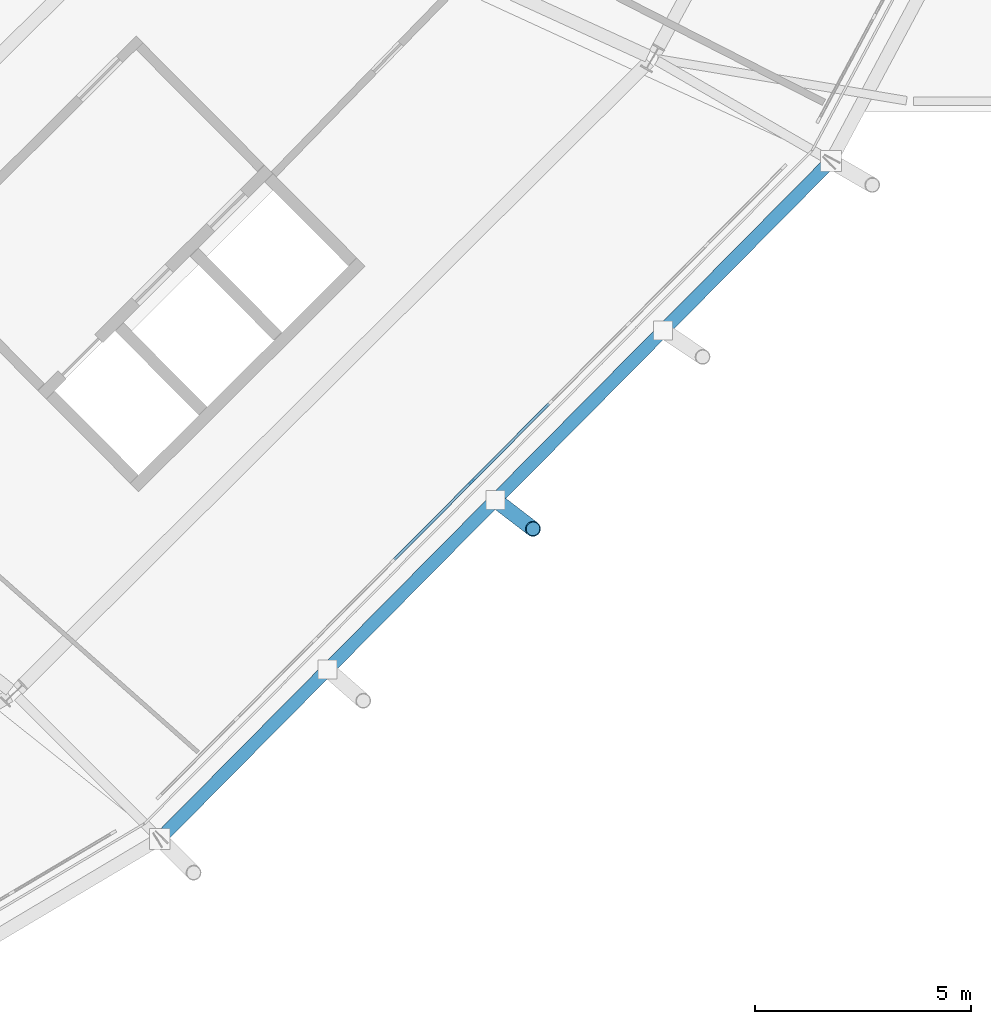
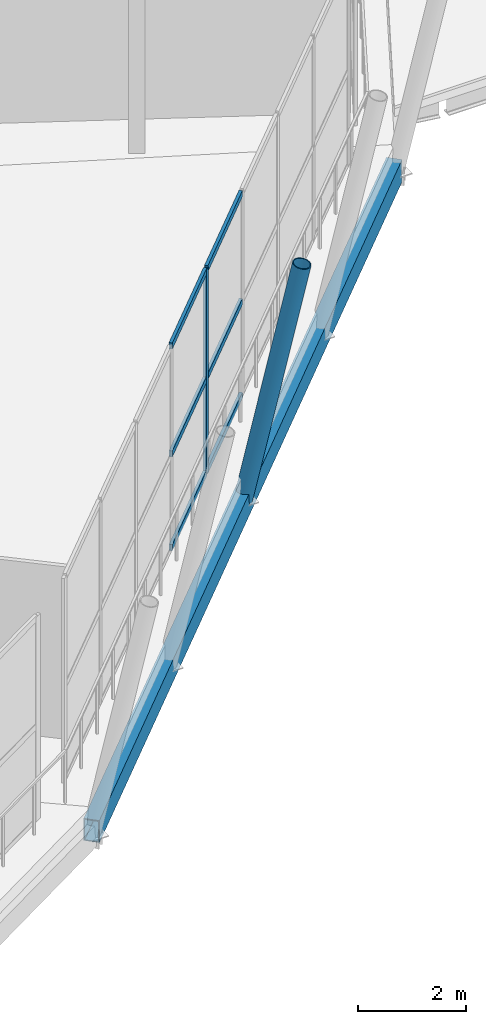
# One storey, part 38 of 126: 8 members, 1 beam, 1 element without a shape of its own.
"""IFC4 building model written with IfcOpenShell, lengths in metres."""

from ifc_helpers import new_model, si_unit, direction, frame, origin, origin_2d, place, context, subcontext, project, spatial, rectangle, hollow_rectangle, hollow_circle, extrude, material, material_profile, profile_set, type_object, element, aggregate, save


model = new_model("IFC4")

# Units and contexts
model_context = context("Model", 3, precision=1e-05, world=origin(), true_north=direction((0.0, 1.0)))
body_context = subcontext(model_context, "Body", "Model", "MODEL_VIEW")
ifc_project = project(units=[si_unit("LENGTHUNIT", "METRE"), si_unit("AREAUNIT", "SQUARE_METRE"), si_unit("VOLUMEUNIT", "CUBIC_METRE"), si_unit("PLANEANGLEUNIT", "RADIAN"), si_unit("MASSUNIT", "GRAM", prefix="KILO")], contexts=[model_context])

# Site, building, storey
site_placement = place(None, origin())
site = spatial("IfcSite", under=ifc_project, at=site_placement, CompositionType="ELEMENT")
building_placement = place(site_placement, origin())
building = spatial("IfcBuilding", under=site, at=building_placement, Name="Zlatoyarsky Gate Stadium", CompositionType="ELEMENT")
storey_placement = place(building_placement, frame((0.0, 0.0, 20.800048828125)))
storey = spatial("IfcBuildingStorey", under=building, at=storey_placement, Name="L04", CompositionType="ELEMENT", Elevation=20.800048828125)

# Curtain wall, members
ifc_material_1 = material(Name="Thermally broken anodised aluminium curtain wall", Category="aluminium")
curtain_wall_type = type_object("IfcCurtainWallType", Name="UNITISED MEDIA RING GLAZING L04", PredefinedType="USERDEFINED", material=ifc_material_1)
curtain_wall_placement = place(storey_placement, origin())
curtain_wall = element("IfcCurtainWall", 1, at=curtain_wall_placement, inside=storey, type_object=curtain_wall_type, Name="Curtain wall CW-L04-21", ObjectType="UNITISED GLAZING", PredefinedType="USERDEFINED")
ifc_material_2 = material(Name="Anodised aluminium 6063-T6", Category="aluminium")
ifc_material_profile_1 = material_profile(ifc_material_2, rectangle(XDim=0.06494140625, YDim=0.159912109375, at=origin_2d()), Name="ALU 65X160")
ifc_profile_set_1 = profile_set([ifc_material_profile_1], Name="Anodised aluminium 6063-T6")
member_type_1 = type_object("IfcMemberType", Name="ALUMINIUM MULLION 65X160", PredefinedType="MULLION", material=ifc_profile_set_1)
member_1_placement = place(storey_placement, frame((187.3515625, 34.69140625, 0.0), z_axis=(0.0, 0.0, 1.0), x_axis=(-0.709870536386, 0.704332181269, 0.0)))
member_1 = element("IfcMember", 2, at=member_1_placement, type_object=member_type_1, Name="CW-UG4 mullion 5", PredefinedType="MULLION", context=body_context, shape_type="SweptSolid", body=[
    extrude(rectangle(XDim=0.06494140625, YDim=0.159912109375, at=origin_2d()), origin(), (0.0, 0.0, 1.0), 4.619873046875),
])
ifc_material_profile_2 = material_profile(ifc_material_2, rectangle(XDim=0.06494140625, YDim=0.139892578125, at=origin_2d()), Name="ALU 65X140")
ifc_profile_set_2 = profile_set([ifc_material_profile_2], Name="Anodised aluminium 6063-T6")
member_type_2 = type_object("IfcMemberType", Name="ALUMINIUM TRANSOM 65X140", PredefinedType="USERDEFINED", material=ifc_profile_set_2)
member_2_placement = place(storey_placement, frame((185.560791015625, 32.886474609375, 0.032470703125), z_axis=(0.70432954627, 0.709873150818, 0.0), x_axis=(-0.709873150818, 0.70432954627, 0.0)))
member_2 = element("IfcMember", 3, at=member_2_placement, type_object=member_type_2, Name="CW-UG4 transom 4.1", ObjectType="TRANSOM", PredefinedType="USERDEFINED", context=body_context, shape_type="SweptSolid", body=[
    extrude(rectangle(XDim=0.06494140625, YDim=0.139892578125, at=origin_2d()), origin(), (0.0, 0.0, 1.0), 2.51025390625),
])
member_3_placement = place(storey_placement, frame((185.560791015625, 32.886474609375, 2.14990234375), z_axis=(0.70432954627, 0.709873150818, 0.0), x_axis=(-0.709873150818, 0.70432954627, 0.0)))
member_3 = element("IfcMember", 4, at=member_3_placement, type_object=member_type_2, Name="CW-UG4 transom 4.2", ObjectType="TRANSOM", PredefinedType="USERDEFINED", context=body_context, shape_type="SweptSolid", body=[
    extrude(rectangle(XDim=0.06494140625, YDim=0.139892578125, at=origin_2d()), origin(), (0.0, 0.0, 1.0), 2.51025390625),
])
member_4_placement = place(storey_placement, frame((185.560791015625, 32.886474609375, 4.58740234375), z_axis=(0.70432954627, 0.709873150818, 0.0), x_axis=(-0.709873150818, 0.70432954627, 0.0)))
member_4 = element("IfcMember", 5, at=member_4_placement, type_object=member_type_2, Name="CW-UG4 transom 4.3", ObjectType="TRANSOM", PredefinedType="USERDEFINED", context=body_context, shape_type="SweptSolid", body=[
    extrude(rectangle(XDim=0.06494140625, YDim=0.139892578125, at=origin_2d()), origin(), (0.0, 0.0, 1.0), 2.51025390625),
])
member_5_placement = place(storey_placement, frame((187.37451171875, 34.714599609375, 0.032470703125), z_axis=(0.70432954627, 0.709873150818, 0.0), x_axis=(-0.709873150818, 0.70432954627, 0.0)))
member_5 = element("IfcMember", 6, at=member_5_placement, type_object=member_type_2, Name="CW-UG4 transom 5.1", ObjectType="TRANSOM", PredefinedType="USERDEFINED", context=body_context, shape_type="SweptSolid", body=[
    extrude(rectangle(XDim=0.06494140625, YDim=0.139892578125, at=origin_2d()), origin(), (0.0, 0.0, 1.0), 2.51025390625),
])
member_6_placement = place(storey_placement, frame((187.37451171875, 34.714599609375, 2.14990234375), z_axis=(0.70432954627, 0.709873150818, 0.0), x_axis=(-0.709873150818, 0.70432954627, 0.0)))
member_6 = element("IfcMember", 7, at=member_6_placement, type_object=member_type_2, Name="CW-UG4 transom 5.2", ObjectType="TRANSOM", PredefinedType="USERDEFINED", context=body_context, shape_type="SweptSolid", body=[
    extrude(rectangle(XDim=0.06494140625, YDim=0.139892578125, at=origin_2d()), origin(), (0.0, 0.0, 1.0), 2.51025390625),
])
member_7_placement = place(storey_placement, frame((187.37451171875, 34.714599609375, 4.58740234375), z_axis=(0.70432954627, 0.709873150818, 0.0), x_axis=(-0.709873150818, 0.70432954627, 0.0)))
member_7 = element("IfcMember", 8, at=member_7_placement, type_object=member_type_2, Name="CW-UG4 transom 5.3", ObjectType="TRANSOM", PredefinedType="USERDEFINED", context=body_context, shape_type="SweptSolid", body=[
    extrude(rectangle(XDim=0.06494140625, YDim=0.139892578125, at=origin_2d()), origin(), (0.0, 0.0, 1.0), 2.51025390625),
])
aggregate(curtain_wall, [member_1, member_2, member_3, member_4, member_5, member_6, member_7])

# Member
ifc_material_3 = material(Name="Steel S355", Category="steel")
ifc_material_profile_3 = material_profile(ifc_material_3, hollow_circle(Radius=0.177734375, WallThickness=0.02001953125, at=origin_2d()), Name="CHS 355.6X20")
ifc_profile_set_3 = profile_set([ifc_material_profile_3], Name="Steel S355")
member_type_3 = type_object("IfcMemberType", Name="STEEL LEANING RIB RING STRUT CHS 355.6X20", PredefinedType="STRUT", material=ifc_profile_set_3)
member_8_placement = place(storey_placement, frame((187.902099609375, 34.26904296875, -0.550048828125), z_axis=(0.157132888532, -0.120577056962, 0.980188976002), x_axis=(0.608776526281, 0.793341755518, 0.0)))
element("IfcMember", 9, at=member_8_placement, inside=storey, type_object=member_type_3, Name="Outward-leaning bowl louvre fin rib L04 21-2", PredefinedType="STRUT", context=body_context, shape_type="SweptSolid", body=[
    extrude(hollow_circle(Radius=0.177734375, WallThickness=0.02001953125, at=origin_2d()), origin(), (0.0, 0.0, 1.0), 5.5498046875),
])

# Beam
ifc_material_profile_4 = material_profile(ifc_material_3, hollow_rectangle(XDim=0.300048828125, YDim=0.5, WallThickness=0.02001953125, at=origin_2d()), Name="RHS 500X300X20")
ifc_profile_set_4 = profile_set([ifc_material_profile_4], Name="Steel S355")
beam_type = type_object("IfcBeamType", Name="STEEL LOUVRE CARRIER SPANDREL RHS 500X300X20", PredefinedType="SPANDREL", material=ifc_profile_set_4)
beam_placement = place(storey_placement, frame((180.147705078125, 26.43701171875, -0.550048828125), z_axis=(0.70358710683, 0.710609022672, 0.0), x_axis=(-0.710609022672, 0.70358710683, 0.0)))
element("IfcBeam", 10, at=beam_placement, inside=storey, type_object=beam_type, Name="Beam SP-RHS500 BM-L04-SPD-21", PredefinedType="SPANDREL", context=body_context, shape_type="SweptSolid", body=[
    extrude(hollow_rectangle(XDim=0.300048828125, YDim=0.5, WallThickness=0.02001953125, at=origin_2d()), origin(), (0.0, 0.0, 1.0), 22.043212890625),
])

save(model, "model.ifc")
